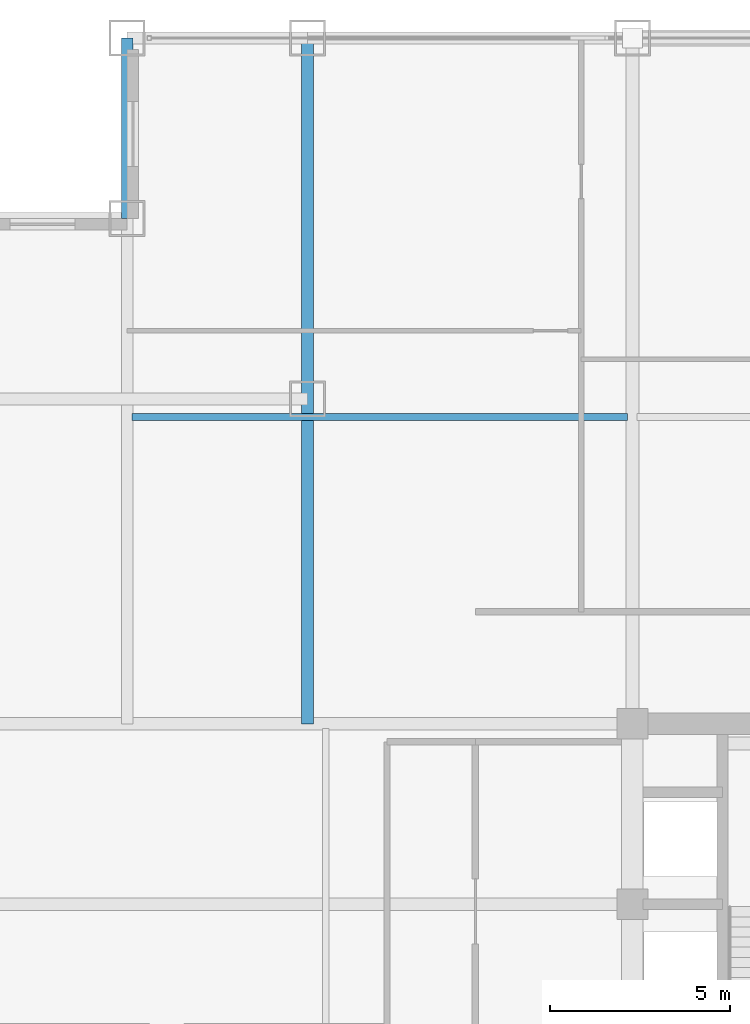
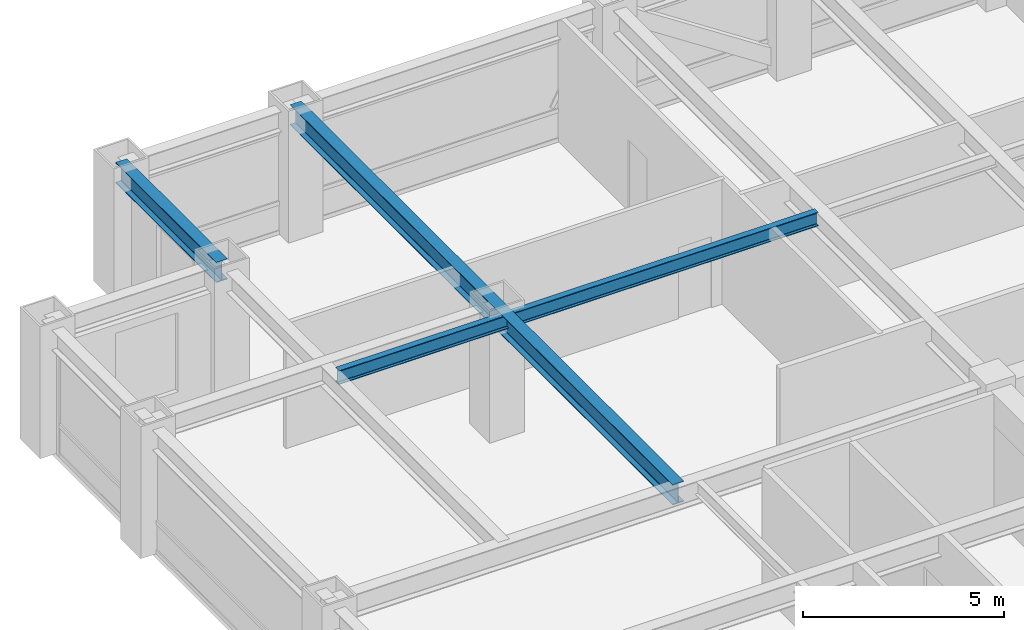
# One storey, part 13 of 25: 3 beams.
"""IFC4 building model written with IfcOpenShell, lengths in metres."""

from ifc_helpers import new_model, si_unit, direction, frame, origin, origin_2d, place, context, subcontext, project, spatial, i_section, extrude, source, transform, mapped, material, material_profile, profile_set, type_object, element, save


model = new_model("IFC4")

# Units and contexts
model_context = context("Model", 3, precision=1e-05, world=origin(), true_north=direction((0.0, 1.0)))
body_context = subcontext(model_context, "Body", "Model", "MODEL_VIEW")
ifc_project = project(units=[si_unit("LENGTHUNIT", "METRE"), si_unit("AREAUNIT", "SQUARE_METRE"), si_unit("VOLUMEUNIT", "CUBIC_METRE"), si_unit("PLANEANGLEUNIT", "RADIAN"), si_unit("MASSUNIT", "GRAM", prefix="KILO")], contexts=[model_context])

# Site, building, storey
site_placement = place(None, origin())
site = spatial("IfcSite", under=ifc_project, at=site_placement, CompositionType="ELEMENT")
building_placement = place(site_placement, origin())
building = spatial("IfcBuilding", under=site, at=building_placement, Name="Khorayat Bourse Tower", CompositionType="ELEMENT")
storey_placement = place(building_placement, frame((0.0, 0.0, 227.10009765625)))
storey = spatial("IfcBuildingStorey", under=building, at=storey_placement, Name="L53", CompositionType="ELEMENT", Elevation=227.10009765625)

# Beams
ifc_material = material(Name="Steel ASTM A992 Grade 50", Category="steel")
ifc_material_profile_1 = material_profile(ifc_material, i_section(OverallWidth=0.324951171875, OverallDepth=0.615966796875, WebThickness=0.013916015625, FlangeThickness=0.021484375, FilletRadius=0.01611328125, at=origin_2d()), Name="W610X174")
ifc_profile_set_1 = profile_set([ifc_material_profile_1], Name="Steel ASTM A992 Grade 50")
beam_type_1 = type_object("IfcBeamType", Name="BM-GIRD-610", PredefinedType="BEAM", material=ifc_profile_set_1)
shared_shape_1 = source(origin(), body_context, "Body", "SweptSolid", [
    extrude(i_section(OverallWidth=0.324951171875, OverallDepth=0.615966796875, WebThickness=0.013916015625, FlangeThickness=0.021484375, FilletRadius=0.01611328125, at=origin_2d()), origin(), (0.0, 0.0, 1.0), 19.0),
])
beam_1_placement = place(storey_placement, frame((-20.0, 11.0, 3.471923828125), z_axis=(0.0, 1.0, 0.0), x_axis=(-1.0, 0.0, 0.0)))
element("IfcBeam", 1, at=beam_1_placement, inside=storey, type_object=beam_type_1, Name="L53 BM-GIRD-610 BM-L53-CNRY-085", PredefinedType="BEAM", context=body_context, shape_type="MappedRepresentation", body=[
    mapped(shared_shape_1, transform((0.0, 0.0, 0.0), scale=1.0)),
])
ifc_material_profile_2 = material_profile(ifc_material, i_section(OverallWidth=0.324951171875, OverallDepth=0.615966796875, WebThickness=0.013916015625, FlangeThickness=0.021484375, FilletRadius=0.01611328125, at=origin_2d()), Name="W610X174")
ifc_profile_set_2 = profile_set([ifc_material_profile_2], Name="Steel ASTM A992 Grade 50")
beam_type_2 = type_object("IfcBeamType", Name="BM-SPAN-610", PredefinedType="SPANDREL", material=ifc_profile_set_2)
shared_shape_2 = source(origin(), body_context, "Body", "SweptSolid", [
    extrude(i_section(OverallWidth=0.324951171875, OverallDepth=0.615966796875, WebThickness=0.013916015625, FlangeThickness=0.021484375, FilletRadius=0.01611328125, at=origin_2d()), origin(), (0.0, 0.0, 1.0), 5.0),
])
beam_2_placement = place(storey_placement, frame((-25.0, 25.0, 3.471923828125), z_axis=(0.0, 1.0, 0.0), x_axis=(-1.0, 0.0, 0.0)))
element("IfcBeam", 2, at=beam_2_placement, inside=storey, type_object=beam_type_2, Name="L53 BM-SPAN-610 BM-L53-SPN-052", PredefinedType="SPANDREL", context=body_context, shape_type="MappedRepresentation", body=[
    mapped(shared_shape_2, transform((0.0, 0.0, 0.0), scale=1.0)),
])
ifc_material_profile_3 = material_profile(ifc_material, i_section(OverallWidth=0.180908203125, OverallDepth=0.4169921875, WebThickness=0.010986328125, FlangeThickness=0.018310546875, FilletRadius=0.011962890625, at=origin_2d()), Name="W410X85")
ifc_profile_set_3 = profile_set([ifc_material_profile_3], Name="Steel ASTM A992 Grade 50")
beam_type_3 = type_object("IfcBeamType", Name="BM-JOIST-410", PredefinedType="JOIST", material=ifc_profile_set_3)
shared_shape_3 = source(origin(), body_context, "Body", "SweptSolid", [
    extrude(i_section(OverallWidth=0.180908203125, OverallDepth=0.4169921875, WebThickness=0.010986328125, FlangeThickness=0.018310546875, FilletRadius=0.011962890625, at=origin_2d()), origin(), (0.0, 0.0, 1.0), 13.740234375),
])
beam_3_placement = place(storey_placement, frame((-24.8701171875, 19.5, 3.5712890625), z_axis=(1.0, 0.0, 0.0), x_axis=(0.0, 1.0, 0.0)))
element("IfcBeam", 3, at=beam_3_placement, inside=storey, type_object=beam_type_3, Name="L53 BM-JOIST-410 BM-L53-JSTX-099", PredefinedType="JOIST", context=body_context, shape_type="MappedRepresentation", body=[
    mapped(shared_shape_3, transform((0.0, 0.0, 0.0), scale=1.0)),
])

save(model, "model.ifc")
